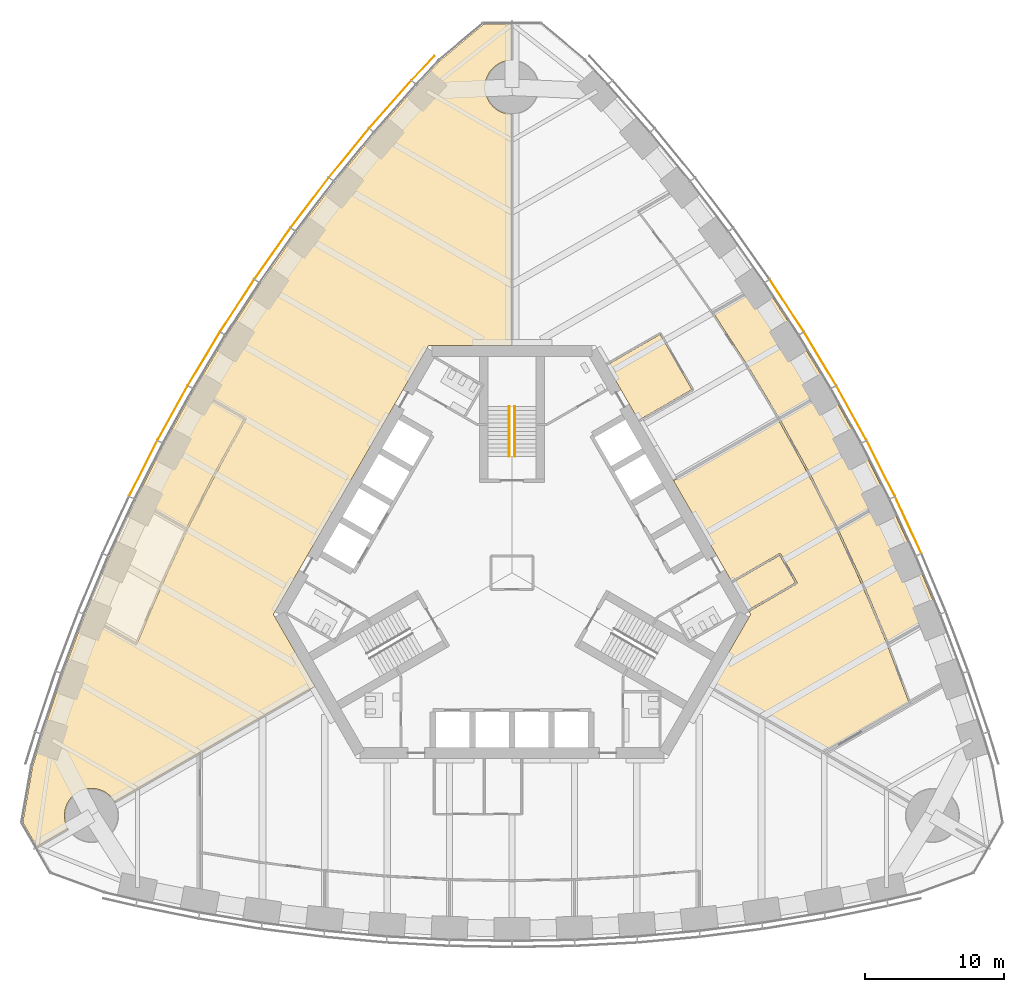
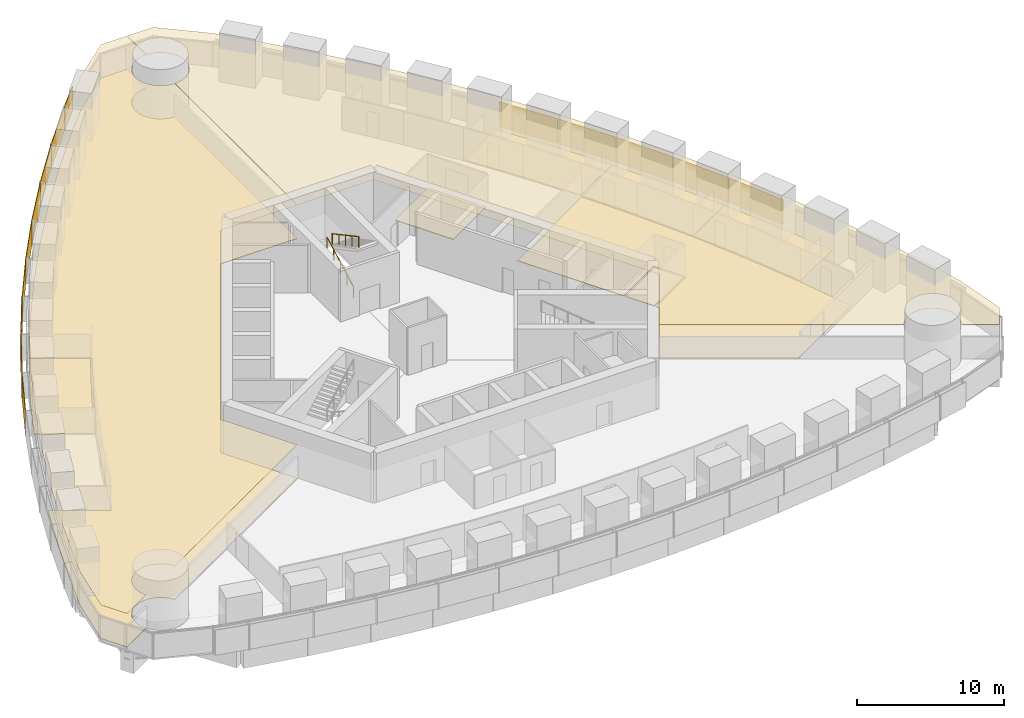
# One storey, part 15 of 18: 14 shading devices, 10 coverings, 2 railings.
"""IFC4 building model written with IfcOpenShell, lengths in metres."""

from ifc_helpers import new_model, si_unit, direction, frame, origin, origin_2d, place, context, subcontext, project, spatial, polyline, rectangle, circle, outline, extrude, material, layer, layer_set, type_object, element, save


model = new_model("IFC4")

# Units and contexts
model_context = context("Model", 3, precision=1e-05, world=origin(), true_north=direction((0.0, 1.0)))
body_context = subcontext(model_context, "Body", "Model", "MODEL_VIEW")
ifc_project = project(units=[si_unit("LENGTHUNIT", "METRE"), si_unit("AREAUNIT", "SQUARE_METRE"), si_unit("VOLUMEUNIT", "CUBIC_METRE"), si_unit("PLANEANGLEUNIT", "RADIAN"), si_unit("MASSUNIT", "GRAM", prefix="KILO")], contexts=[model_context])

# Site, building, storey
site_placement = place(None, origin())
site = spatial("IfcSite", under=ifc_project, at=site_placement, CompositionType="ELEMENT")
building_placement = place(site_placement, origin())
building = spatial("IfcBuilding", under=site, at=building_placement, Name="Trefoil Bronze Tower", CompositionType="ELEMENT")
storey_placement = place(building_placement, frame((0.0, 0.0, 174.5)))
storey = spatial("IfcBuildingStorey", under=building, at=storey_placement, Name="L40", CompositionType="ELEMENT", Elevation=174.5)

# Shading devices
ifc_material_1 = material(Name="Perforated bronze sheet", Category="bronze")
ifc_layer_1 = layer(ifc_material_1, 0.0400390625)
ifc_layer_set_1 = layer_set([ifc_layer_1], Name="Bronze solar screen panel")
shading_device_type = type_object("IfcShadingDeviceType", Name="Bronze solar screen panel", PredefinedType="SHUTTER", material=ifc_layer_set_1)
shading_device_1_placement = place(storey_placement, frame((28.563720703125, 3.444580078125, 0.0498046875), z_axis=(0.0, 0.0, 1.0), x_axis=(-0.419932995871, 0.907555110712, 0.0)))
element("IfcShadingDevice", 1, at=shading_device_1_placement, inside=storey, type_object=shading_device_type, Name="Solar screen CW-A L40 F2 bay 5", PredefinedType="SHUTTER", context=body_context, shape_type="SweptSolid", body=[
    extrude(rectangle(XDim=4.48828125, YDim=0.0400390625, at=origin_2d()), origin(), (0.0, 0.0, 1.0), 2.070068359375),
])
shading_device_2_placement = place(storey_placement, frame((26.5869140625, 7.52197265625, 0.0498046875), z_axis=(0.0, 0.0, 1.0), x_axis=(-0.452448919686, 0.891790320128, 0.0)))
element("IfcShadingDevice", 2, at=shading_device_2_placement, inside=storey, type_object=shading_device_type, Name="Solar screen CW-A L40 F2 bay 6", PredefinedType="SHUTTER", context=body_context, shape_type="SweptSolid", body=[
    extrude(rectangle(XDim=4.4765625, YDim=0.0400390625, at=origin_2d()), origin(), (0.0, 0.0, 1.0), 2.070068359375),
])
for number, where, z_axis, x_axis, name in (
    (3, (24.468505859375, 11.517578125, 0.0498046875), (0.0, 0.0, 1.0), (-0.484312195836, 0.874895249138, 0.0), "Solar screen CW-A L40 F2 bay 7"),
    (4, (22.208740234375, 15.431396484375, 0.0498046875), (0.0, 0.0, 1.0), (-0.515525413486, 0.856874289526, 0.0), "Solar screen CW-A L40 F2 bay 8"),
):
    element("IfcShadingDevice", number, at=place(storey_placement, frame(where, z_axis=z_axis, x_axis=x_axis)), inside=storey, type_object=shading_device_type, Name=name, PredefinedType="SHUTTER", context=body_context, shape_type="SweptSolid", body=[
        extrude(rectangle(XDim=4.470703125, YDim=0.0400390625, at=origin_2d()), origin(), (0.0, 0.0, 1.0), 2.070068359375),
    ])
shading_device_3_placement = place(storey_placement, frame((19.8076171875, 19.263916015625, 0.0498046875), z_axis=(0.0, 0.0, 1.0), x_axis=(-0.546088612237, 0.837727418427, 0.0)))
element("IfcShadingDevice", 5, at=shading_device_3_placement, inside=storey, type_object=shading_device_type, Name="Solar screen CW-A L40 F2 bay 9", PredefinedType="SHUTTER", context=body_context, shape_type="SweptSolid", body=[
    extrude(rectangle(XDim=4.4765625, YDim=0.0400390625, at=origin_2d()), origin(), (0.0, 0.0, 1.0), 2.070068359375),
])
shading_device_4_placement = place(storey_placement, frame((-6.416748046875, 36.383544921875, 0.0498046875), z_axis=(0.0, 0.0, 1.0), x_axis=(-0.682535770759, -0.730852188636, 0.0)))
element("IfcShadingDevice", 6, at=shading_device_4_placement, inside=storey, type_object=shading_device_type, Name="Solar screen CW-A L40 F3 bay 1", PredefinedType="SHUTTER", context=body_context, shape_type="SweptSolid", body=[
    extrude(rectangle(XDim=2.39013671875, YDim=0.0400390625, at=origin_2d()), origin(), (0.0, 0.0, 1.0), 2.070068359375),
])
shading_device_5_placement = place(storey_placement, frame((-8.77197265625, 33.766845703125, 0.0498046875), z_axis=(0.0, 0.0, 1.0), x_axis=(-0.661751405978, -0.749723333428, 0.0)))
element("IfcShadingDevice", 7, at=shading_device_5_placement, inside=storey, type_object=shading_device_type, Name="Solar screen CW-A L40 F3 bay 2", PredefinedType="SHUTTER", context=body_context, shape_type="SweptSolid", body=[
    extrude(rectangle(XDim=4.56103515625, YDim=0.0400390625, at=origin_2d()), origin(), (0.0, 0.0, 1.0), 2.070068359375),
])
shading_device_6_placement = place(storey_placement, frame((-11.7490234375, 30.26708984375, 0.0498046875), z_axis=(0.0, 0.0, 1.0), x_axis=(-0.633839916024, -0.773464259584, 0.0)))
element("IfcShadingDevice", 8, at=shading_device_6_placement, inside=storey, type_object=shading_device_type, Name="Solar screen CW-A L40 F3 bay 3", PredefinedType="SHUTTER", context=body_context, shape_type="SweptSolid", body=[
    extrude(rectangle(XDim=4.5302734375, YDim=0.0400390625, at=origin_2d()), origin(), (0.0, 0.0, 1.0), 2.070068359375),
])
shading_device_7_placement = place(storey_placement, frame((-14.579345703125, 26.6826171875, 0.0498046875), z_axis=(0.0, 0.0, 1.0), x_axis=(-0.605252319983, -0.796033685943, 0.0)))
element("IfcShadingDevice", 9, at=shading_device_7_placement, inside=storey, type_object=shading_device_type, Name="Solar screen CW-A L40 F3 bay 4", PredefinedType="SHUTTER", context=body_context, shape_type="SweptSolid", body=[
    extrude(rectangle(XDim=4.50634765625, YDim=0.0400390625, at=origin_2d()), origin(), (0.0, 0.0, 1.0), 2.070068359375),
])
shading_device_8_placement = place(storey_placement, frame((-17.264892578125, 23.014404296875, 0.0498046875), z_axis=(0.0, 0.0, 1.0), x_axis=(-0.575999283275, -0.817450197667, 0.0)))
element("IfcShadingDevice", 10, at=shading_device_8_placement, inside=storey, type_object=shading_device_type, Name="Solar screen CW-A L40 F3 bay 5", PredefinedType="SHUTTER", context=body_context, shape_type="SweptSolid", body=[
    extrude(rectangle(XDim=4.48828125, YDim=0.0400390625, at=origin_2d()), origin(), (0.0, 0.0, 1.0), 2.070068359375),
])
shading_device_9_placement = place(storey_placement, frame((-19.8076171875, 19.263916015625, 0.0498046875), z_axis=(0.0, 0.0, 1.0), x_axis=(-0.546088612237, -0.837727418427, 0.0)))
element("IfcShadingDevice", 11, at=shading_device_9_placement, inside=storey, type_object=shading_device_type, Name="Solar screen CW-A L40 F3 bay 6", PredefinedType="SHUTTER", context=body_context, shape_type="SweptSolid", body=[
    extrude(rectangle(XDim=4.4765625, YDim=0.0400390625, at=origin_2d()), origin(), (0.0, 0.0, 1.0), 2.070068359375),
])
for number, where, z_axis, x_axis, name in (
    (12, (-22.208740234375, 15.431396484375, 0.0498046875), (0.0, 0.0, 1.0), (-0.515525413486, -0.856874289526, 0.0), "Solar screen CW-A L40 F3 bay 7"),
    (13, (-24.468505859375, 11.517578125, 0.0498046875), (0.0, 0.0, 1.0), (-0.484312195836, -0.874895249138, 0.0), "Solar screen CW-A L40 F3 bay 8"),
):
    element("IfcShadingDevice", number, at=place(storey_placement, frame(where, z_axis=z_axis, x_axis=x_axis)), inside=storey, type_object=shading_device_type, Name=name, PredefinedType="SHUTTER", context=body_context, shape_type="SweptSolid", body=[
        extrude(rectangle(XDim=4.470703125, YDim=0.0400390625, at=origin_2d()), origin(), (0.0, 0.0, 1.0), 2.070068359375),
    ])
shading_device_10_placement = place(storey_placement, frame((-26.5869140625, 7.52197265625, 0.0498046875), z_axis=(0.0, 0.0, 1.0), x_axis=(-0.452448919686, -0.891790320128, 0.0)))
element("IfcShadingDevice", 14, at=shading_device_10_placement, inside=storey, type_object=shading_device_type, Name="Solar screen CW-A L40 F3 bay 9", PredefinedType="SHUTTER", context=body_context, shape_type="SweptSolid", body=[
    extrude(rectangle(XDim=4.4765625, YDim=0.0400390625, at=origin_2d()), origin(), (0.0, 0.0, 1.0), 2.070068359375),
])

# Railings
ifc_material_2 = material(Name="Steel handrail", Category="steel")
railing_type = type_object("IfcRailingType", Name="Handrail 900", PredefinedType="HANDRAIL", material=ifc_material_2)
railing_1_placement = place(storey_placement, frame((-0.199951171875, 8.389892578125, 0.16162109375)))
element("IfcRailing", 15, at=railing_1_placement, inside=storey, type_object=railing_type, Name="Handrail ST2 flight 1 L40", PredefinedType="HANDRAIL", context=body_context, shape_type="SweptSolid", body=[
    extrude(circle(Radius=0.02392578125, at=origin_2d()), frame((0.0, 0.0, 0.8759765625), z_axis=(0.0, 0.880474934443, 0.474092701714), x_axis=(-1.0, 0.0, 0.0)), (0.0, 0.0, 1.0), 4.0888671875),
    extrude(circle(Radius=0.02099609375, at=origin_2d()), origin(), (0.0, 0.0, 1.0), 0.851806640625),
    extrude(circle(Radius=0.02099609375, at=origin_2d()), frame((0.0, 0.89990234375, 0.484619140625)), (0.0, 0.0, 1.0), 0.851806640625),
    extrude(circle(Radius=0.02099609375, at=origin_2d()), frame((0.0, 1.800048828125, 0.96923828125)), (0.0, 0.0, 1.0), 0.851806640625),
    extrude(circle(Radius=0.02099609375, at=origin_2d()), frame((0.0, 2.7001953125, 1.453857421875)), (0.0, 0.0, 1.0), 0.851806640625),
    extrude(circle(Radius=0.02099609375, at=origin_2d()), frame((0.0, 3.60009765625, 1.9384765625)), (0.0, 0.0, 1.0), 0.851806640625),
])
railing_2_placement = place(storey_placement, frame((0.199951171875, 11.989990234375, 2.261474609375)))
element("IfcRailing", 16, at=railing_2_placement, inside=storey, type_object=railing_type, Name="Handrail ST2 flight 2 L40", PredefinedType="HANDRAIL", context=body_context, shape_type="SweptSolid", body=[
    extrude(circle(Radius=0.02392578125, at=origin_2d()), frame((0.0, 0.0, 0.8759765625), z_axis=(0.0, -0.880474934443, 0.474092701714), x_axis=(1.0, 0.0, 0.0)), (0.0, 0.0, 1.0), 4.0888671875),
    extrude(circle(Radius=0.02099609375, at=origin_2d()), origin(), (0.0, 0.0, 1.0), 0.851806640625),
    extrude(circle(Radius=0.02099609375, at=origin_2d()), frame((0.0, -0.89990234375, 0.484619140625)), (0.0, 0.0, 1.0), 0.851806640625),
    extrude(circle(Radius=0.02099609375, at=origin_2d()), frame((0.0, -1.800048828125, 0.96923828125)), (0.0, 0.0, 1.0), 0.851806640625),
    extrude(circle(Radius=0.02099609375, at=origin_2d()), frame((0.0, -2.7001953125, 1.453857421875)), (0.0, 0.0, 1.0), 0.851806640625),
    extrude(circle(Radius=0.02099609375, at=origin_2d()), frame((0.0, -3.60009765625, 1.9384765625)), (0.0, 0.0, 1.0), 0.851806640625),
])

# Coverings
ifc_material_3 = material(Name="Acoustic ceiling panels", Category="mineral fibre")
ifc_layer_2 = layer(ifc_material_3, 0.02001953125)
ifc_layer_set_2 = layer_set([ifc_layer_2], Name="Office ceiling 20")
covering_type_1 = type_object("IfcCoveringType", Name="Office ceiling 20", PredefinedType="CEILING", material=ifc_layer_set_2)
covering_1_placement = place(storey_placement, frame((0.0, 0.0, 2.89990234375)))
element("IfcCovering", 17, at=covering_1_placement, inside=storey, type_object=covering_type_1, Name="Ceiling L40 PA area F2", PredefinedType="CEILING", context=body_context, shape_type="SweptSolid", body=[
    extrude(outline(polyline([(6.847900390625, 35.130615234375), (9.885986328125, 31.6884765625), (12.776611328125, 28.1611328125), (15.522216796875, 24.55029296875), (18.124755859375, 20.856689453125), (20.585693359375, 17.081298828125), (22.906005859375, 13.224853515625), (25.085693359375, 9.287109375), (27.124755859375, 5.268310546875), (29.022216796875, 1.16748046875), (30.776611328125, -3.015625), (32.385986328125, -7.28271484375), (33.847900390625, -11.634765625), (34.5537109375, -13.94970703125), (35.2666015625, -17.99169921875), (34.247802734375, -19.755859375), (32.006103515625, -18.462646484375), (32.030517578125, -18.419189453125), (32.07373046875, -18.333740234375), (32.112548828125, -18.24609375), (32.14697265625, -18.156982421875), (32.177001953125, -18.066162109375), (32.202392578125, -17.973876953125), (32.223388671875, -17.88037109375), (32.23974609375, -17.7861328125), (32.25146484375, -17.691162109375), (32.258544921875, -17.595703125), (32.260986328125, -17.5), (32.258544921875, -17.404296875), (32.25146484375, -17.308837890625), (32.23974609375, -17.2138671875), (32.223388671875, -17.11962890625), (32.202392578125, -17.026123046875), (32.177001953125, -16.933837890625), (32.14697265625, -16.843017578125), (32.112548828125, -16.75390625), (32.07373046875, -16.666259765625), (32.030517578125, -16.580810546875), (31.9833984375, -16.49755859375), (31.932373046875, -16.41650390625), (31.877197265625, -16.33837890625), (31.818359375, -16.262939453125), (31.755615234375, -16.1904296875), (31.689697265625, -16.12109375), (31.620361328125, -16.05517578125), (31.548095703125, -15.99267578125), (31.472412109375, -15.93359375), (31.394287109375, -15.878662109375), (31.3134765625, -15.827392578125), (31.22998046875, -15.7802734375), (31.14453125, -15.7373046875), (31.05712890625, -15.698486328125), (30.9677734375, -15.6640625), (30.876953125, -15.634033203125), (30.78466796875, -15.6083984375), (30.69140625, -15.58740234375), (30.596923828125, -15.571044921875), (30.501953125, -15.559326171875), (30.406494140625, -15.55224609375), (30.310791015625, -15.550048828125), (30.215087890625, -15.55224609375), (30.119873046875, -15.559326171875), (30.02490234375, -15.571044921875), (29.930419921875, -15.58740234375), (29.837158203125, -15.6083984375), (29.744873046875, -15.634033203125), (29.654052734375, -15.6640625), (29.564697265625, -15.698486328125), (29.477294921875, -15.7373046875), (29.3916015625, -15.7802734375), (29.308349609375, -15.827392578125), (29.2275390625, -15.878662109375), (29.1494140625, -15.93359375), (29.07373046875, -15.99267578125), (29.001220703125, -16.05517578125), (28.931884765625, -16.12109375), (28.865966796875, -16.1904296875), (28.803466796875, -16.262939453125), (28.74462890625, -16.33837890625), (28.689453125, -16.41650390625), (28.628662109375, -16.514404296875), (14.205810546875, -8.194580078125), (17.205078125, -3.0), (6.00439453125, 16.39990234375), (0.006103515625, 16.39990234375), (0.012451171875, 33.05029296875), (0.095703125, 33.05224609375), (0.191162109375, 33.059326171875), (0.2861328125, 33.071044921875), (0.38037109375, 33.08740234375), (0.473876953125, 33.1083984375), (0.566162109375, 33.134033203125), (0.656982421875, 33.1640625), (0.74609375, 33.198486328125), (0.833740234375, 33.2373046875), (0.919189453125, 33.2802734375), (1.00244140625, 33.327392578125), (1.08349609375, 33.378662109375), (1.16162109375, 33.43359375), (1.237060546875, 33.49267578125), (1.3095703125, 33.55517578125), (1.37890625, 33.62109375), (1.44482421875, 33.6904296875), (1.50732421875, 33.762939453125), (1.56640625, 33.83837890625), (1.621337890625, 33.91650390625), (1.672607421875, 33.99755859375), (1.7197265625, 34.080810546875), (1.7626953125, 34.166259765625), (1.801513671875, 34.25390625), (1.8359375, 34.343017578125), (1.865966796875, 34.433837890625), (1.8916015625, 34.526123046875), (1.91259765625, 34.61962890625), (1.928955078125, 34.7138671875), (1.940673828125, 34.808837890625), (1.94775390625, 34.904296875), (1.949951171875, 35.0), (1.94775390625, 35.095703125), (1.940673828125, 35.191162109375), (1.928955078125, 35.2861328125), (1.91259765625, 35.38037109375), (1.8916015625, 35.473876953125), (1.865966796875, 35.566162109375), (1.8359375, 35.656982421875), (1.801513671875, 35.74609375), (1.7626953125, 35.833740234375), (1.7197265625, 35.919189453125), (1.672607421875, 36.00244140625), (1.621337890625, 36.08349609375), (1.56640625, 36.16162109375), (1.50732421875, 36.237060546875), (1.44482421875, 36.3095703125), (1.37890625, 36.37890625), (1.3095703125, 36.44482421875), (1.237060546875, 36.50732421875), (1.16162109375, 36.56640625), (1.08349609375, 36.621337890625), (1.00244140625, 36.672607421875), (0.919189453125, 36.7197265625), (0.833740234375, 36.7626953125), (0.74609375, 36.801513671875), (0.656982421875, 36.8359375), (0.566162109375, 36.865966796875), (0.473876953125, 36.8916015625), (0.38037109375, 36.91259765625), (0.2861328125, 36.928955078125), (0.191162109375, 36.940673828125), (0.095703125, 36.94775390625), (0.013916015625, 36.94970703125), (0.014892578125, 39.53759765625), (2.052001953125, 39.53759765625), (5.1962890625, 36.8994140625), (6.847900390625, 35.130615234375)])), origin(), (0.0, 0.0, 1.0), 0.02001953125),
])
covering_2_placement = place(storey_placement, frame((0.0, 0.0, 2.89990234375)))
element("IfcCovering", 18, at=covering_2_placement, inside=storey, type_object=covering_type_1, Name="Ceiling L40 PA area F3", PredefinedType="CEILING", context=body_context, shape_type="SweptSolid", body=[
    extrude(outline(polyline([(-33.847900390625, -11.634765625), (-32.385986328125, -7.28271484375), (-30.776611328125, -3.015625), (-29.022216796875, 1.16748046875), (-27.124755859375, 5.268310546875), (-25.085693359375, 9.287109375), (-22.906005859375, 13.224853515625), (-20.585693359375, 17.081298828125), (-18.124755859375, 20.856689453125), (-15.522216796875, 24.55029296875), (-12.776611328125, 28.1611328125), (-9.885986328125, 31.6884765625), (-6.847900390625, 35.130615234375), (-5.1962890625, 36.8994140625), (-2.052001953125, 39.53759765625), (-0.014892578125, 39.53759765625), (-0.013916015625, 36.94970703125), (-0.095703125, 36.94775390625), (-0.191162109375, 36.940673828125), (-0.2861328125, 36.928955078125), (-0.38037109375, 36.91259765625), (-0.473876953125, 36.8916015625), (-0.566162109375, 36.865966796875), (-0.656982421875, 36.8359375), (-0.74609375, 36.801513671875), (-0.833740234375, 36.7626953125), (-0.919189453125, 36.7197265625), (-1.00244140625, 36.672607421875), (-1.08349609375, 36.621337890625), (-1.16162109375, 36.56640625), (-1.237060546875, 36.50732421875), (-1.3095703125, 36.44482421875), (-1.37890625, 36.37890625), (-1.44482421875, 36.3095703125), (-1.50732421875, 36.237060546875), (-1.56640625, 36.16162109375), (-1.621337890625, 36.08349609375), (-1.672607421875, 36.00244140625), (-1.7197265625, 35.919189453125), (-1.7626953125, 35.833740234375), (-1.801513671875, 35.74609375), (-1.8359375, 35.656982421875), (-1.865966796875, 35.566162109375), (-1.8916015625, 35.473876953125), (-1.91259765625, 35.38037109375), (-1.928955078125, 35.2861328125), (-1.940673828125, 35.191162109375), (-1.94775390625, 35.095703125), (-1.949951171875, 35.0), (-1.94775390625, 34.904296875), (-1.940673828125, 34.808837890625), (-1.928955078125, 34.7138671875), (-1.91259765625, 34.61962890625), (-1.8916015625, 34.526123046875), (-1.865966796875, 34.433837890625), (-1.8359375, 34.343017578125), (-1.801513671875, 34.25390625), (-1.7626953125, 34.166259765625), (-1.7197265625, 34.080810546875), (-1.672607421875, 33.99755859375), (-1.621337890625, 33.91650390625), (-1.56640625, 33.83837890625), (-1.50732421875, 33.762939453125), (-1.44482421875, 33.6904296875), (-1.37890625, 33.62109375), (-1.3095703125, 33.55517578125), (-1.237060546875, 33.49267578125), (-1.16162109375, 33.43359375), (-1.08349609375, 33.378662109375), (-1.00244140625, 33.327392578125), (-0.919189453125, 33.2802734375), (-0.833740234375, 33.2373046875), (-0.74609375, 33.198486328125), (-0.656982421875, 33.1640625), (-0.566162109375, 33.134033203125), (-0.473876953125, 33.1083984375), (-0.38037109375, 33.08740234375), (-0.2861328125, 33.071044921875), (-0.191162109375, 33.059326171875), (-0.095703125, 33.05224609375), (-0.012451171875, 33.05029296875), (-0.006103515625, 16.39990234375), (-6.00439453125, 16.39990234375), (-17.205078125, -3.0), (-14.205810546875, -8.194580078125), (-28.628662109375, -16.514404296875), (-28.689453125, -16.41650390625), (-28.74462890625, -16.33837890625), (-28.803466796875, -16.262939453125), (-28.865966796875, -16.1904296875), (-28.931884765625, -16.12109375), (-29.001220703125, -16.05517578125), (-29.07373046875, -15.99267578125), (-29.1494140625, -15.93359375), (-29.2275390625, -15.878662109375), (-29.308349609375, -15.827392578125), (-29.3916015625, -15.7802734375), (-29.477294921875, -15.7373046875), (-29.564697265625, -15.698486328125), (-29.654052734375, -15.6640625), (-29.744873046875, -15.634033203125), (-29.837158203125, -15.6083984375), (-29.930419921875, -15.58740234375), (-30.02490234375, -15.571044921875), (-30.119873046875, -15.559326171875), (-30.215087890625, -15.55224609375), (-30.310791015625, -15.550048828125), (-30.406494140625, -15.55224609375), (-30.501953125, -15.559326171875), (-30.596923828125, -15.571044921875), (-30.69140625, -15.58740234375), (-30.78466796875, -15.6083984375), (-30.876953125, -15.634033203125), (-30.9677734375, -15.6640625), (-31.05712890625, -15.698486328125), (-31.14453125, -15.7373046875), (-31.22998046875, -15.7802734375), (-31.3134765625, -15.827392578125), (-31.394287109375, -15.878662109375), (-31.472412109375, -15.93359375), (-31.548095703125, -15.99267578125), (-31.620361328125, -16.05517578125), (-31.689697265625, -16.12109375), (-31.755615234375, -16.1904296875), (-31.818359375, -16.262939453125), (-31.877197265625, -16.33837890625), (-31.932373046875, -16.41650390625), (-31.9833984375, -16.49755859375), (-32.030517578125, -16.580810546875), (-32.07373046875, -16.666259765625), (-32.112548828125, -16.75390625), (-32.14697265625, -16.843017578125), (-32.177001953125, -16.933837890625), (-32.202392578125, -17.026123046875), (-32.223388671875, -17.11962890625), (-32.23974609375, -17.2138671875), (-32.25146484375, -17.308837890625), (-32.258544921875, -17.404296875), (-32.260986328125, -17.5), (-32.258544921875, -17.595703125), (-32.25146484375, -17.691162109375), (-32.23974609375, -17.7861328125), (-32.223388671875, -17.88037109375), (-32.202392578125, -17.973876953125), (-32.177001953125, -18.066162109375), (-32.14697265625, -18.156982421875), (-32.112548828125, -18.24609375), (-32.07373046875, -18.333740234375), (-32.030517578125, -18.419189453125), (-32.006103515625, -18.462646484375), (-34.247802734375, -19.755859375), (-35.2666015625, -17.99169921875), (-34.5537109375, -13.94970703125), (-33.847900390625, -11.634765625)])), origin(), (0.0, 0.0, 1.0), 0.02001953125),
])
ifc_material_4 = material(Name="Raised access floor panels", Category="steel")
ifc_layer_3 = layer(ifc_material_4, 0.050048828125)
ifc_layer_set_3 = layer_set([ifc_layer_3], Name="Raised access floor 150")
covering_type_2 = type_object("IfcCoveringType", Name="Raised access floor 150", PredefinedType="FLOORING", material=ifc_layer_set_3)
covering_3_placement = place(storey_placement, frame((0.0, 0.0, 0.10009765625)))
element("IfcCovering", 19, at=covering_3_placement, inside=storey, type_object=covering_type_2, Name="Raised floor L40 Reception F2", PredefinedType="FLOORING", context=body_context, shape_type="SweptSolid", body=[
    extrude(outline(polyline([(6.834716796875, 14.9619140625), (10.679931640625, 17.181884765625), (12.969970703125, 13.215576171875), (9.124755859375, 10.99560546875), (6.834716796875, 14.9619140625)])), origin(), (0.0, 0.0, 1.0), 0.0498046875),
])
covering_4_placement = place(storey_placement, frame((0.0, 0.0, 0.10009765625)))
element("IfcCovering", 20, at=covering_4_placement, inside=storey, type_object=covering_type_2, Name="Raised floor L40 Comms room F2", PredefinedType="FLOORING", context=body_context, shape_type="SweptSolid", body=[
    extrude(outline(polyline([(15.884765625, -0.713134765625), (19.296875, 1.2568359375), (20.43701171875, -0.7177734375), (17.024658203125, -2.687744140625), (15.884765625, -0.713134765625)])), origin(), (0.0, 0.0, 1.0), 0.0498046875),
])
covering_5_placement = place(storey_placement, frame((0.0, 0.0, 0.10009765625)))
element("IfcCovering", 21, at=covering_5_placement, inside=storey, type_object=covering_type_2, Name="Raised floor L40 Executive office F2", PredefinedType="FLOORING", context=body_context, shape_type="SweptSolid", body=[
    extrude(outline(polyline([(20.585693359375, 17.081298828125), (22.906005859375, 13.224853515625), (21.494384765625, 12.409912109375), (21.45703125, 12.474853515625), (19.23876953125, 11.194091796875), (16.956787109375, 14.9873046875), (16.9052734375, 14.956298828125), (16.95556640625, 14.9892578125), (14.529052734375, 18.71142578125), (16.739501953125, 19.987548828125), (16.709716796875, 20.03955078125), (18.124755859375, 20.856689453125), (20.585693359375, 17.081298828125)])), origin(), (0.0, 0.0, 1.0), 0.0498046875),
])
covering_6_placement = place(storey_placement, frame((0.0, 0.0, 0.10009765625)))
element("IfcCovering", 22, at=covering_6_placement, inside=storey, type_object=covering_type_2, Name="Raised floor L40 Executive office F2", PredefinedType="FLOORING", context=body_context, shape_type="SweptSolid", body=[
    extrude(outline(polyline([(25.085693359375, 9.287109375), (27.124755859375, 5.268310546875), (25.709716796875, 4.451171875), (25.6796875, 4.503173828125), (23.468994140625, 3.226806640625), (21.458740234375, 7.189208984375), (21.4052734375, 7.162109375), (21.457763671875, 7.191162109375), (19.313720703125, 11.064208984375), (21.531982421875, 12.344970703125), (21.494384765625, 12.409912109375), (22.906005859375, 13.224853515625), (25.085693359375, 9.287109375)])), origin(), (0.0, 0.0, 1.0), 0.0498046875),
])
covering_7_placement = place(storey_placement, frame((0.0, 0.0, 0.10009765625)))
element("IfcCovering", 23, at=covering_7_placement, inside=storey, type_object=covering_type_2, Name="Raised floor L40 Executive office F2", PredefinedType="FLOORING", context=body_context, shape_type="SweptSolid", body=[
    extrude(outline(polyline([(29.022216796875, 1.16748046875), (30.776611328125, -3.015625), (29.350341796875, -3.839111328125), (29.3203125, -3.787353515625), (27.125, -5.0546875), (25.39697265625, -0.93408203125), (25.341796875, -0.95751953125), (25.39599609375, -0.93212890625), (23.521728515625, 3.11865234375), (25.739501953125, 4.399169921875), (25.709716796875, 4.451171875), (27.124755859375, 5.268310546875), (29.022216796875, 1.16748046875)])), origin(), (0.0, 0.0, 1.0), 0.0498046875),
])
covering_8_placement = place(storey_placement, frame((0.0, 0.0, 0.10009765625)))
element("IfcCovering", 24, at=covering_8_placement, inside=storey, type_object=covering_type_2, Name="Raised floor L40 PA area F2", PredefinedType="FLOORING", context=body_context, shape_type="SweptSolid", body=[
    extrude(outline(polyline([(14.205810546875, -8.194580078125), (17.205078125, -3.0), (17.084716796875, -2.79150390625), (20.548828125, -0.79150390625), (20.518798828125, -0.73974609375), (20.57080078125, -0.709716796875), (19.370849609375, 1.368896484375), (19.31884765625, 1.3388671875), (19.288818359375, 1.390625), (15.82470703125, -0.609375), (11.605224609375, 6.69921875), (11.614013671875, 6.7041015625), (11.65087890625, 6.639892578125), (19.209716796875, 11.004150390625), (20.783203125, 8.162109375), (21.884521484375, 6.084716796875), (23.39013671875, 3.1171875), (24.77685546875, 0.12060546875), (25.75830078125, -2.10595703125), (27.040283203125, -5.162841796875), (28.6171875, -9.34326171875), (22.5029296875, -12.873291015625), (22.552978515625, -12.959716796875), (22.509765625, -12.98486328125), (14.205810546875, -8.194580078125)])), origin(), (0.0, 0.0, 1.0), 0.0498046875),
])
covering_9_placement = place(storey_placement, frame((0.0, 0.0, 0.10009765625)))
element("IfcCovering", 25, at=covering_9_placement, inside=storey, type_object=covering_type_2, Name="Raised floor L40 Executive office F3", PredefinedType="FLOORING", context=body_context, shape_type="SweptSolid", body=[
    extrude(outline(polyline([(-25.085693359375, 9.287109375), (-22.906005859375, 13.224853515625), (-21.494384765625, 12.409912109375), (-21.5244140625, 12.35791015625), (-19.306396484375, 11.077392578125), (-21.457763671875, 7.191162109375), (-21.4052734375, 7.162109375), (-21.458740234375, 7.189208984375), (-23.468994140625, 3.226806640625), (-25.6796875, 4.503173828125), (-25.709716796875, 4.451171875), (-27.124755859375, 5.268310546875), (-25.085693359375, 9.287109375)])), origin(), (0.0, 0.0, 1.0), 0.0498046875),
])
covering_10_placement = place(storey_placement, frame((0.0, 0.0, 0.10009765625)))
element("IfcCovering", 26, at=covering_10_placement, inside=storey, type_object=covering_type_2, Name="Raised floor L40 PA area F3", PredefinedType="FLOORING", context=body_context, shape_type="SweptSolid", body=[
    extrude(outline(polyline([(-32.385986328125, -7.28271484375), (-30.776611328125, -3.015625), (-29.350341796875, -3.839111328125), (-29.38037109375, -3.89111328125), (-27.126220703125, -5.192626953125), (-27.09619140625, -5.140625), (-27.040771484375, -5.163818359375), (-25.75830078125, -2.10595703125), (-24.77685546875, 0.12060546875), (-23.39013671875, 3.1171875), (-21.884521484375, 6.084716796875), (-20.783203125, 8.162109375), (-19.173095703125, 11.07080078125), (-19.2255859375, 11.099853515625), (-19.195556640625, 11.15185546875), (-21.464599609375, 12.4619140625), (-21.494384765625, 12.409912109375), (-22.906005859375, 13.224853515625), (-20.585693359375, 17.081298828125), (-18.124755859375, 20.856689453125), (-15.522216796875, 24.55029296875), (-12.776611328125, 28.1611328125), (-9.885986328125, 31.6884765625), (-6.847900390625, 35.130615234375), (-5.1962890625, 36.8994140625), (-2.052001953125, 39.53759765625), (-0.014892578125, 39.53759765625), (-0.013916015625, 36.94970703125), (-0.095703125, 36.94775390625), (-0.191162109375, 36.940673828125), (-0.2861328125, 36.928955078125), (-0.38037109375, 36.91259765625), (-0.473876953125, 36.8916015625), (-0.566162109375, 36.865966796875), (-0.656982421875, 36.8359375), (-0.74609375, 36.801513671875), (-0.833740234375, 36.7626953125), (-0.919189453125, 36.7197265625), (-1.00244140625, 36.672607421875), (-1.08349609375, 36.621337890625), (-1.16162109375, 36.56640625), (-1.237060546875, 36.50732421875), (-1.3095703125, 36.44482421875), (-1.37890625, 36.37890625), (-1.44482421875, 36.3095703125), (-1.50732421875, 36.237060546875), (-1.56640625, 36.16162109375), (-1.621337890625, 36.08349609375), (-1.672607421875, 36.00244140625), (-1.7197265625, 35.919189453125), (-1.7626953125, 35.833740234375), (-1.801513671875, 35.74609375), (-1.8359375, 35.656982421875), (-1.865966796875, 35.566162109375), (-1.8916015625, 35.473876953125), (-1.91259765625, 35.38037109375), (-1.928955078125, 35.2861328125), (-1.940673828125, 35.191162109375), (-1.94775390625, 35.095703125), (-1.949951171875, 35.0), (-1.94775390625, 34.904296875), (-1.940673828125, 34.808837890625), (-1.928955078125, 34.7138671875), (-1.91259765625, 34.61962890625), (-1.8916015625, 34.526123046875), (-1.865966796875, 34.433837890625), (-1.8359375, 34.343017578125), (-1.801513671875, 34.25390625), (-1.7626953125, 34.166259765625), (-1.7197265625, 34.080810546875), (-1.672607421875, 33.99755859375), (-1.621337890625, 33.91650390625), (-1.56640625, 33.83837890625), (-1.50732421875, 33.762939453125), (-1.44482421875, 33.6904296875), (-1.37890625, 33.62109375), (-1.3095703125, 33.55517578125), (-1.237060546875, 33.49267578125), (-1.16162109375, 33.43359375), (-1.08349609375, 33.378662109375), (-1.00244140625, 33.327392578125), (-0.919189453125, 33.2802734375), (-0.833740234375, 33.2373046875), (-0.74609375, 33.198486328125), (-0.656982421875, 33.1640625), (-0.566162109375, 33.134033203125), (-0.473876953125, 33.1083984375), (-0.38037109375, 33.08740234375), (-0.2861328125, 33.071044921875), (-0.191162109375, 33.059326171875), (-0.095703125, 33.05224609375), (-0.012451171875, 33.05029296875), (-0.006103515625, 16.39990234375), (-6.00439453125, 16.39990234375), (-17.205078125, -3.0), (-14.205810546875, -8.194580078125), (-28.628662109375, -16.514404296875), (-28.689453125, -16.41650390625), (-28.74462890625, -16.33837890625), (-28.803466796875, -16.262939453125), (-28.865966796875, -16.1904296875), (-28.931884765625, -16.12109375), (-29.001220703125, -16.05517578125), (-29.07373046875, -15.99267578125), (-29.1494140625, -15.93359375), (-29.2275390625, -15.878662109375), (-29.308349609375, -15.827392578125), (-29.3916015625, -15.7802734375), (-29.477294921875, -15.7373046875), (-29.564697265625, -15.698486328125), (-29.654052734375, -15.6640625), (-29.744873046875, -15.634033203125), (-29.837158203125, -15.6083984375), (-29.930419921875, -15.58740234375), (-30.02490234375, -15.571044921875), (-30.119873046875, -15.559326171875), (-30.215087890625, -15.55224609375), (-30.310791015625, -15.550048828125), (-30.406494140625, -15.55224609375), (-30.501953125, -15.559326171875), (-30.596923828125, -15.571044921875), (-30.69140625, -15.58740234375), (-30.78466796875, -15.6083984375), (-30.876953125, -15.634033203125), (-30.9677734375, -15.6640625), (-31.05712890625, -15.698486328125), (-31.14453125, -15.7373046875), (-31.22998046875, -15.7802734375), (-31.3134765625, -15.827392578125), (-31.394287109375, -15.878662109375), (-31.472412109375, -15.93359375), (-31.548095703125, -15.99267578125), (-31.620361328125, -16.05517578125), (-31.689697265625, -16.12109375), (-31.755615234375, -16.1904296875), (-31.818359375, -16.262939453125), (-31.877197265625, -16.33837890625), (-31.932373046875, -16.41650390625), (-31.9833984375, -16.49755859375), (-32.030517578125, -16.580810546875), (-32.07373046875, -16.666259765625), (-32.112548828125, -16.75390625), (-32.14697265625, -16.843017578125), (-32.177001953125, -16.933837890625), (-32.202392578125, -17.026123046875), (-32.223388671875, -17.11962890625), (-32.23974609375, -17.2138671875), (-32.25146484375, -17.308837890625), (-32.258544921875, -17.404296875), (-32.260986328125, -17.5), (-32.258544921875, -17.595703125), (-32.25146484375, -17.691162109375), (-32.23974609375, -17.7861328125), (-32.223388671875, -17.88037109375), (-32.202392578125, -17.973876953125), (-32.177001953125, -18.066162109375), (-32.14697265625, -18.156982421875), (-32.112548828125, -18.24609375), (-32.07373046875, -18.333740234375), (-32.030517578125, -18.419189453125), (-32.006103515625, -18.462646484375), (-34.247802734375, -19.755859375), (-35.2666015625, -17.99169921875), (-34.5537109375, -13.94970703125), (-33.847900390625, -11.634765625), (-32.385986328125, -7.28271484375)])), origin(), (0.0, 0.0, 1.0), 0.0498046875),
])

save(model, "model.ifc")
